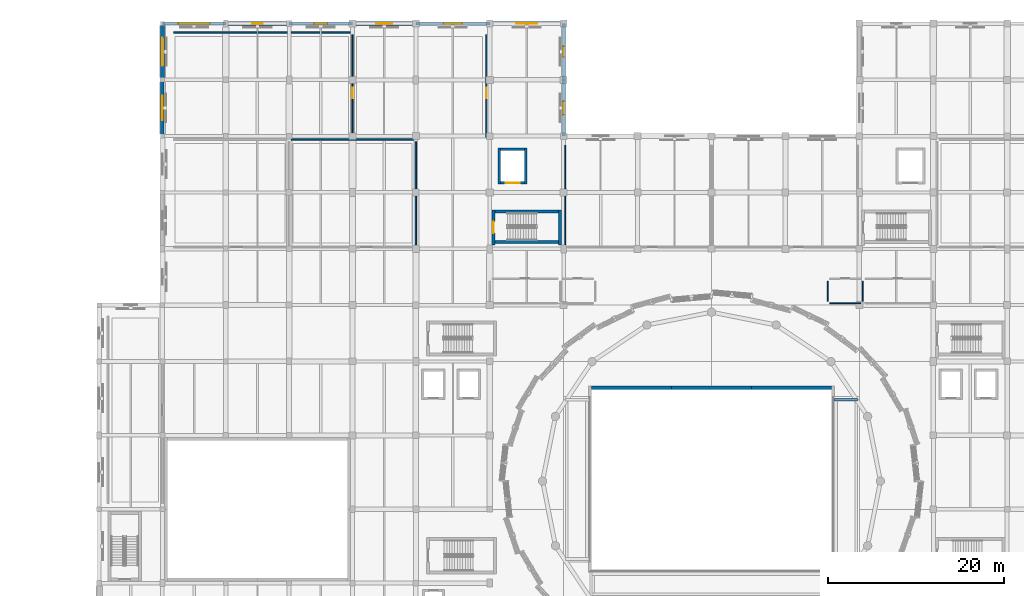
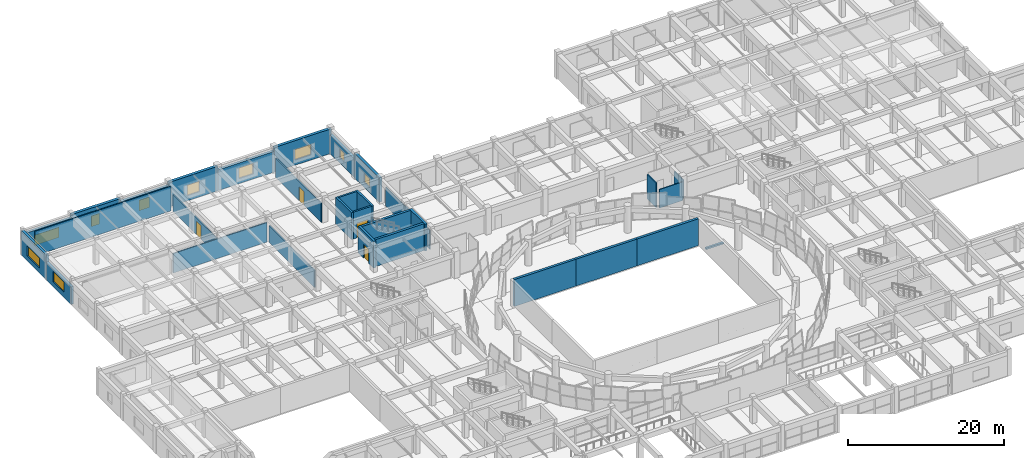
# One storey, part 50 of 71: 31 walls, 10 windows, 4 doors, 14 openings.
"""IFC4 building model written with IfcOpenShell, lengths in metres."""

from ifc_helpers import new_model, si_unit, direction, frame, frame_2d, origin, place, context, subcontext, project, spatial, rectangle, extrude, material, layer, layer_set, type_object, element, fill, save


model = new_model("IFC4")

# Units and contexts
model_context = context("Model", 3, precision=1e-05, world=origin(), true_north=direction((0.0, 1.0)))
body_context = subcontext(model_context, "Body", "Model", "MODEL_VIEW")
ifc_project = project(units=[si_unit("LENGTHUNIT", "METRE"), si_unit("AREAUNIT", "SQUARE_METRE"), si_unit("VOLUMEUNIT", "CUBIC_METRE"), si_unit("PLANEANGLEUNIT", "RADIAN"), si_unit("MASSUNIT", "GRAM", prefix="KILO")], contexts=[model_context])

# Site, building, storey
site_placement = place(None, origin())
site = spatial("IfcSite", under=ifc_project, at=site_placement, CompositionType="ELEMENT")
building_placement = place(site_placement, origin())
building = spatial("IfcBuilding", under=site, at=building_placement, Name="Korsvaeld Concert Hall", CompositionType="ELEMENT")
storey_placement = place(building_placement, frame((0.0, 0.0, 4.800048828125)))
storey = spatial("IfcBuildingStorey", under=building, at=storey_placement, Name="L01", CompositionType="ELEMENT", Elevation=4.800048828125)

# Walls
ifc_material_1 = material(Name="Concrete C40/50", Category="concrete")
ifc_layer_1 = layer(ifc_material_1, 0.340087890625)
ifc_layer_set_1 = layer_set([ifc_layer_1], Name="Concrete C40/50")
wall_type_1 = type_object("IfcWallType", Name="WL-CORE-340", PredefinedType="SHEAR", material=ifc_layer_set_1)
wall_1_placement = place(storey_placement, frame((59.3701171875, 90.39990234375, 0.0), z_axis=(0.0, 0.0, 1.0), x_axis=(1.0, 0.0, 0.0)))
element("IfcWall", 1, at=wall_1_placement, inside=storey, type_object=wall_type_1, Name="Core K5 shear wall L01 S", PredefinedType="SHEAR", context=body_context, shape_type="SweptSolid", body=[
    extrude(rectangle(XDim=7.259765625, YDim=0.340087890625, at=frame_2d((3.6298828125, 0.0))), origin(), (0.0, 0.0, 1.0), 4.199951171875),
])
wall_2_placement = place(storey_placement, frame((66.800048828125, 90.050048828125, 0.0), z_axis=(0.0, 0.0, 1.0), x_axis=(0.0, 1.0, 0.0)))
element("IfcWall", 2, at=wall_2_placement, inside=storey, type_object=wall_type_1, Name="Core K5 shear wall L01 E", PredefinedType="SHEAR", context=body_context, shape_type="SweptSolid", body=[
    extrude(rectangle(XDim=3.9599609375, YDim=0.340087890625, at=frame_2d((1.97998046875, 0.0))), origin(), (0.0, 0.0, 1.0), 4.199951171875),
])
wall_3_placement = place(storey_placement, frame((66.6298828125, 93.840087890625, 0.0), z_axis=(0.0, 0.0, 1.0), x_axis=(-1.0, 0.0, 0.0)))
element("IfcWall", 3, at=wall_3_placement, inside=storey, type_object=wall_type_1, Name="Core K5 shear wall L01 N", PredefinedType="SHEAR", context=body_context, shape_type="SweptSolid", body=[
    extrude(rectangle(XDim=7.259765625, YDim=0.340087890625, at=frame_2d((3.6298828125, 0.0))), origin(), (0.0, 0.0, 1.0), 4.199951171875),
])

# Wall, opening, door
wall_4_placement = place(storey_placement, frame((59.199951171875, 94.010009765625, 0.0), z_axis=(0.0, 0.0, 1.0), x_axis=(0.0, -1.0, 0.0)))
wall_4 = element("IfcWall", 4, at=wall_4_placement, inside=storey, type_object=wall_type_1, Name="Core K5 shear wall L01 W", PredefinedType="SHEAR", context=body_context, shape_type="SweptSolid", body=[
    extrude(rectangle(XDim=3.9599609375, YDim=0.340087890625, at=frame_2d((1.97998046875, 0.0))), origin(), (0.0, 0.0, 1.0), 4.199951171875),
])
opening_1_placement = place(wall_4_placement, frame((1.330078125, 0.0, 0.0)))
opening_1 = element("IfcOpeningElement", 5, at=opening_1_placement, cuts=wall_4, Name="Opening FD-01", PredefinedType="OPENING", context=body_context, shape_type="SweptSolid", body=[
    extrude(rectangle(XDim=1.300048828125, YDim=2.14990234375, at=frame_2d((0.64990234375, 1.074951171875))), frame((0.0, 0.18017578125, 0.0), z_axis=(0.0, -1.0, 0.0), x_axis=(1.0, 0.0, 0.0)), (0.0, 0.0, 1.0), 0.360107421875),
])
ifc_material_2 = material(Name="Acoustic steel and oak fire door", Category="steel")
door_type_1 = type_object("IfcDoorType", Name="DR-FD-STAIR-130x215", OperationType="NOTDEFINED", PredefinedType="DOOR", material=ifc_material_2)
door_1_placement = place(opening_1_placement, origin())
door_1 = element("IfcDoor", 6, at=door_1_placement, inside=storey, type_object=door_type_1, Name="Escape stair ST-K5 fire door L01", OperationType="SINGLE_SWING_LEFT", OverallHeight=2.14990234375, OverallWidth=1.300048828125, PredefinedType="DOOR", context=body_context, shape_type="SweptSolid", body=[
    extrude(rectangle(XDim=1.300048828125, YDim=2.14990234375, at=frame_2d((0.64990234375, 1.074951171875))), frame((0.0, 0.02490234375, 0.0), z_axis=(0.0, -1.0, 0.0), x_axis=(1.0, 0.0, 0.0)), (0.0, 0.0, 1.0), 0.050048828125),
])
fill(opening_1, door_1)

# Wall, opening, window
ifc_material_3 = material(Name="Obernkirchener buff sandstone rainscreen on Concrete C35/45", Category="masonry")
ifc_layer_2 = layer(ifc_material_3, 0.389892578125)
ifc_layer_set_2 = layer_set([ifc_layer_2], Name="Obernkirchener buff sandstone rainscreen on Concrete C35/45")
wall_type_2 = type_object("IfcWallType", Name="WL-EXT-BUFF-390", PredefinedType="STANDARD", material=ifc_layer_set_2)
wall_5_placement = place(storey_placement, frame((21.60009765625, 102.39990234375, 0.0), z_axis=(0.0, 0.0, 1.0), x_axis=(0.0, 1.0, 0.0)))
wall_5 = element("IfcWall", 7, at=wall_5_placement, inside=storey, type_object=wall_type_2, Name="Exterior sandstone wall L01-149", PredefinedType="STANDARD", context=body_context, shape_type="SweptSolid", body=[
    extrude(rectangle(XDim=6.400146484375, YDim=0.389892578125, at=frame_2d((3.2001953125, 0.0))), origin(), (0.0, 0.0, 1.0), 2.739990234375),
])
opening_2_placement = place(wall_5_placement, frame((1.800048828125, 0.0, 0.800048828125)))
opening_2 = element("IfcOpeningElement", 8, at=opening_2_placement, cuts=wall_5, Name="Opening WN-14", PredefinedType="OPENING", context=body_context, shape_type="SweptSolid", body=[
    extrude(rectangle(XDim=2.800048828125, YDim=1.60009765625, at=frame_2d((1.39990234375, 0.800048828125))), frame((0.0, 0.205078125, 0.0), z_axis=(0.0, -1.0, 0.0), x_axis=(1.0, 0.0, 0.0)), (0.0, 0.0, 1.0), 0.409912109375),
])
ifc_material_4 = material(Name="Anodised bronze frame with acoustic triple glazing", Category="glass")
window_type_1 = type_object("IfcWindowType", Name="WIN-AC-280x160", PartitioningType="TRIPLE_PANEL_VERTICAL", PredefinedType="WINDOW", material=ifc_material_4)
window_1_placement = place(opening_2_placement, origin())
window_1 = element("IfcWindow", 9, at=window_1_placement, inside=storey, type_object=window_type_1, Name="Acoustic triple-glazed window L01-059", OverallHeight=1.60009765625, OverallWidth=2.800048828125, PartitioningType="TRIPLE_PANEL_VERTICAL", PredefinedType="WINDOW", context=body_context, shape_type="SweptSolid", body=[
    extrude(rectangle(XDim=2.800048828125, YDim=1.60009765625, at=frame_2d((1.39990234375, 0.800048828125))), frame((0.0, 0.030029296875, 0.0), z_axis=(0.0, -1.0, 0.0), x_axis=(1.0, 0.0, 0.0)), (0.0, 0.0, 1.0), 0.06005859375),
])
fill(opening_2, window_1)

wall_6_placement = place(storey_placement, frame((21.60009765625, 115.199951171875, 0.0), z_axis=(0.0, 0.0, 1.0), x_axis=(1.0, 0.0, 0.0)))
wall_6 = element("IfcWall", 10, at=wall_6_placement, inside=storey, type_object=wall_type_2, Name="Exterior sandstone wall L01-151", PredefinedType="STANDARD", context=body_context, shape_type="SweptSolid", body=[
    extrude(rectangle(XDim=7.199951171875, YDim=0.389892578125, at=frame_2d((3.60009765625, 0.0))), origin(), (0.0, 0.0, 1.0), 3.2900390625),
])
opening_3_placement = place(wall_6_placement, frame((1.800048828125, 0.0, 0.800048828125)))
opening_3 = element("IfcOpeningElement", 11, at=opening_3_placement, cuts=wall_6, Name="Opening WN-16", PredefinedType="OPENING", context=body_context, shape_type="SweptSolid", body=[
    extrude(rectangle(XDim=3.60009765625, YDim=1.60009765625, at=frame_2d((1.800048828125, 0.800048828125))), frame((0.0, 0.205078125, 0.0), z_axis=(0.0, -1.0, 0.0), x_axis=(1.0, 0.0, 0.0)), (0.0, 0.0, 1.0), 0.409912109375),
])
window_type_2 = type_object("IfcWindowType", Name="WIN-AC-360x160", PartitioningType="TRIPLE_PANEL_VERTICAL", PredefinedType="WINDOW", material=ifc_material_4)
window_2_placement = place(opening_3_placement, origin())
window_2 = element("IfcWindow", 12, at=window_2_placement, inside=storey, type_object=window_type_2, Name="Acoustic triple-glazed window L01-061", OverallHeight=1.60009765625, OverallWidth=3.60009765625, PartitioningType="TRIPLE_PANEL_VERTICAL", PredefinedType="WINDOW", context=body_context, shape_type="SweptSolid", body=[
    extrude(rectangle(XDim=3.60009765625, YDim=1.60009765625, at=frame_2d((1.800048828125, 0.800048828125))), frame((0.0, 0.030029296875, 0.0), z_axis=(0.0, -1.0, 0.0), x_axis=(1.0, 0.0, 0.0)), (0.0, 0.0, 1.0), 0.06005859375),
])
fill(opening_3, window_2)

wall_7_placement = place(storey_placement, frame((36.0, 115.199951171875, 0.0), z_axis=(0.0, 0.0, 1.0), x_axis=(1.0, 0.0, 0.0)))
wall_7 = element("IfcWall", 13, at=wall_7_placement, inside=storey, type_object=wall_type_2, Name="Exterior sandstone wall L01-153", PredefinedType="STANDARD", context=body_context, shape_type="SweptSolid", body=[
    extrude(rectangle(XDim=7.199951171875, YDim=0.389892578125, at=frame_2d((3.60009765625, 0.0))), origin(), (0.0, 0.0, 1.0), 3.2900390625),
])
opening_4_placement = place(wall_7_placement, frame((2.85009765625, 0.0, 0.800048828125)))
opening_4 = element("IfcOpeningElement", 14, at=opening_4_placement, cuts=wall_7, Name="Opening WN-02", PredefinedType="OPENING", context=body_context, shape_type="SweptSolid", body=[
    extrude(rectangle(XDim=1.5, YDim=1.64990234375, at=frame_2d((0.75, 0.824951171875))), frame((0.0, 0.205078125, 0.0), z_axis=(0.0, -1.0, 0.0), x_axis=(1.0, 0.0, 0.0)), (0.0, 0.0, 1.0), 0.409912109375),
])
window_type_3 = type_object("IfcWindowType", Name="WIN-AC-150x165", PartitioningType="SINGLE_PANEL", PredefinedType="WINDOW", material=ifc_material_4)
window_3_placement = place(opening_4_placement, origin())
window_3 = element("IfcWindow", 15, at=window_3_placement, inside=storey, type_object=window_type_3, Name="Acoustic triple-glazed window L01-063", OverallHeight=1.64990234375, OverallWidth=1.5, PartitioningType="SINGLE_PANEL", PredefinedType="WINDOW", context=body_context, shape_type="SweptSolid", body=[
    extrude(rectangle(XDim=1.5, YDim=1.64990234375, at=frame_2d((0.75, 0.824951171875))), frame((0.0, 0.030029296875, 0.0), z_axis=(0.0, -1.0, 0.0), x_axis=(1.0, 0.0, 0.0)), (0.0, 0.0, 1.0), 0.06005859375),
])
fill(opening_4, window_3)

wall_8_placement = place(storey_placement, frame((50.39990234375, 115.199951171875, 0.0), z_axis=(0.0, 0.0, 1.0), x_axis=(1.0, 0.0, 0.0)))
wall_8 = element("IfcWall", 16, at=wall_8_placement, inside=storey, type_object=wall_type_2, Name="Exterior sandstone wall L01-155", PredefinedType="STANDARD", context=body_context, shape_type="SweptSolid", body=[
    extrude(rectangle(XDim=8.400146484375, YDim=0.389892578125, at=frame_2d((4.2001953125, 0.0))), origin(), (0.0, 0.0, 1.0), 3.239990234375),
])
opening_5_placement = place(wall_8_placement, frame((3.14990234375, 0.0, 0.800048828125)))
opening_5 = element("IfcOpeningElement", 17, at=opening_5_placement, cuts=wall_8, Name="Opening WN-04", PredefinedType="OPENING", context=body_context, shape_type="SweptSolid", body=[
    extrude(rectangle(XDim=2.10009765625, YDim=1.64990234375, at=frame_2d((1.050048828125, 0.824951171875))), frame((0.0, 0.205078125, 0.0), z_axis=(0.0, -1.0, 0.0), x_axis=(1.0, 0.0, 0.0)), (0.0, 0.0, 1.0), 0.409912109375),
])
window_type_4 = type_object("IfcWindowType", Name="WIN-AC-210x165", PartitioningType="SINGLE_PANEL", PredefinedType="WINDOW", material=ifc_material_4)
window_4_placement = place(opening_5_placement, origin())
window_4 = element("IfcWindow", 18, at=window_4_placement, inside=storey, type_object=window_type_4, Name="Acoustic triple-glazed window L01-065", OverallHeight=1.64990234375, OverallWidth=2.10009765625, PartitioningType="SINGLE_PANEL", PredefinedType="WINDOW", context=body_context, shape_type="SweptSolid", body=[
    extrude(rectangle(XDim=2.10009765625, YDim=1.64990234375, at=frame_2d((1.050048828125, 0.824951171875))), frame((0.0, 0.030029296875, 0.0), z_axis=(0.0, -1.0, 0.0), x_axis=(1.0, 0.0, 0.0)), (0.0, 0.0, 1.0), 0.06005859375),
])
fill(opening_5, window_4)

wall_9_placement = place(storey_placement, frame((67.199951171875, 115.199951171875, 0.0), z_axis=(0.0, 0.0, 1.0), x_axis=(0.0, -1.0, 0.0)))
wall_9 = element("IfcWall", 19, at=wall_9_placement, inside=storey, type_object=wall_type_2, Name="Exterior sandstone wall L01-157", PredefinedType="STANDARD", context=body_context, shape_type="SweptSolid", body=[
    extrude(rectangle(XDim=6.39990234375, YDim=0.389892578125, at=frame_2d((3.199951171875, 0.0))), origin(), (0.0, 0.0, 1.0), 2.93994140625),
])
opening_6_placement = place(wall_9_placement, frame((2.60009765625, 0.0, 0.800048828125)))
opening_6 = element("IfcOpeningElement", 20, at=opening_6_placement, cuts=wall_9, Name="Opening WN-06", PredefinedType="OPENING", context=body_context, shape_type="SweptSolid", body=[
    extrude(rectangle(XDim=1.199951171875, YDim=1.449951171875, at=frame_2d((0.60009765625, 0.72509765625))), frame((0.0, 0.205078125, 0.0), z_axis=(0.0, -1.0, 0.0), x_axis=(1.0, 0.0, 0.0)), (0.0, 0.0, 1.0), 0.409912109375),
])
window_type_5 = type_object("IfcWindowType", Name="WIN-AC-120x145", PartitioningType="SINGLE_PANEL", PredefinedType="WINDOW", material=ifc_material_4)
window_5_placement = place(opening_6_placement, origin())
window_5 = element("IfcWindow", 21, at=window_5_placement, inside=storey, type_object=window_type_5, Name="Acoustic triple-glazed window L01-067", OverallHeight=1.449951171875, OverallWidth=1.199951171875, PartitioningType="SINGLE_PANEL", PredefinedType="WINDOW", context=body_context, shape_type="SweptSolid", body=[
    extrude(rectangle(XDim=1.199951171875, YDim=1.449951171875, at=frame_2d((0.60009765625, 0.72509765625))), frame((0.0, 0.030029296875, 0.0), z_axis=(0.0, -1.0, 0.0), x_axis=(1.0, 0.0, 0.0)), (0.0, 0.0, 1.0), 0.06005859375),
])
fill(opening_6, window_5)

ifc_material_5 = material(Name="Bornholm Nexo rose-red sandstone rainscreen on Concrete C35/45", Category="masonry")
ifc_layer_3 = layer(ifc_material_5, 0.419921875)
ifc_layer_set_3 = layer_set([ifc_layer_3], Name="Bornholm Nexo rose-red sandstone rainscreen on Concrete C35/45")
wall_type_3 = type_object("IfcWallType", Name="WL-EXT-NEXO-420", PredefinedType="STANDARD", material=ifc_layer_set_3)
wall_10_placement = place(storey_placement, frame((21.60009765625, 108.800048828125, 0.0), z_axis=(0.0, 0.0, 1.0), x_axis=(0.0, 1.0, 0.0)))
wall_10 = element("IfcWall", 22, at=wall_10_placement, inside=storey, type_object=wall_type_3, Name="Exterior sandstone wall L01-150", PredefinedType="STANDARD", context=body_context, shape_type="SweptSolid", body=[
    extrude(rectangle(XDim=6.39990234375, YDim=0.419921875, at=frame_2d((3.199951171875, 0.0))), origin(), (0.0, 0.0, 1.0), 3.83984375),
])
opening_7_placement = place(wall_10_placement, frame((1.60009765625, 0.0, 0.800048828125)))
opening_7 = element("IfcOpeningElement", 23, at=opening_7_placement, cuts=wall_10, Name="Opening WN-15", PredefinedType="OPENING", context=body_context, shape_type="SweptSolid", body=[
    extrude(rectangle(XDim=3.199951171875, YDim=1.60009765625, at=frame_2d((1.60009765625, 0.800048828125))), frame((0.0, 0.219970703125, 0.0), z_axis=(0.0, -1.0, 0.0), x_axis=(1.0, 0.0, 0.0)), (0.0, 0.0, 1.0), 0.43994140625),
])
window_type_6 = type_object("IfcWindowType", Name="WIN-AC-320x160", PartitioningType="TRIPLE_PANEL_VERTICAL", PredefinedType="WINDOW", material=ifc_material_4)
window_6_placement = place(opening_7_placement, origin())
window_6 = element("IfcWindow", 24, at=window_6_placement, inside=storey, type_object=window_type_6, Name="Acoustic triple-glazed window L01-060", OverallHeight=1.60009765625, OverallWidth=3.199951171875, PartitioningType="TRIPLE_PANEL_VERTICAL", PredefinedType="WINDOW", context=body_context, shape_type="SweptSolid", body=[
    extrude(rectangle(XDim=3.199951171875, YDim=1.60009765625, at=frame_2d((1.60009765625, 0.800048828125))), frame((0.0, 0.030029296875, 0.0), z_axis=(0.0, -1.0, 0.0), x_axis=(1.0, 0.0, 0.0)), (0.0, 0.0, 1.0), 0.06005859375),
])
fill(opening_7, window_6)

wall_11_placement = place(storey_placement, frame((28.800048828125, 115.199951171875, 0.0), z_axis=(0.0, 0.0, 1.0), x_axis=(1.0, 0.0, 0.0)))
wall_11 = element("IfcWall", 25, at=wall_11_placement, inside=storey, type_object=wall_type_3, Name="Exterior sandstone wall L01-152", PredefinedType="STANDARD", context=body_context, shape_type="SweptSolid", body=[
    extrude(rectangle(XDim=7.199951171875, YDim=0.419921875, at=frame_2d((3.60009765625, 0.0))), origin(), (0.0, 0.0, 1.0), 3.83984375),
])
opening_8_placement = place(wall_11_placement, frame((3.0, 0.0, 0.800048828125)))
opening_8 = element("IfcOpeningElement", 26, at=opening_8_placement, cuts=wall_11, Name="Opening WN-01", PredefinedType="OPENING", context=body_context, shape_type="SweptSolid", body=[
    extrude(rectangle(XDim=1.199951171875, YDim=1.64990234375, at=frame_2d((0.60009765625, 0.824951171875))), frame((0.0, 0.219970703125, 0.0), z_axis=(0.0, -1.0, 0.0), x_axis=(1.0, 0.0, 0.0)), (0.0, 0.0, 1.0), 0.43994140625),
])
window_type_7 = type_object("IfcWindowType", Name="WIN-AC-120x165", PartitioningType="SINGLE_PANEL", PredefinedType="WINDOW", material=ifc_material_4)
window_7_placement = place(opening_8_placement, origin())
window_7 = element("IfcWindow", 27, at=window_7_placement, inside=storey, type_object=window_type_7, Name="Acoustic triple-glazed window L01-062", OverallHeight=1.64990234375, OverallWidth=1.199951171875, PartitioningType="SINGLE_PANEL", PredefinedType="WINDOW", context=body_context, shape_type="SweptSolid", body=[
    extrude(rectangle(XDim=1.199951171875, YDim=1.64990234375, at=frame_2d((0.60009765625, 0.824951171875))), frame((0.0, 0.030029296875, 0.0), z_axis=(0.0, -1.0, 0.0), x_axis=(1.0, 0.0, 0.0)), (0.0, 0.0, 1.0), 0.06005859375),
])
fill(opening_8, window_7)

wall_12_placement = place(storey_placement, frame((43.199951171875, 115.199951171875, 0.0), z_axis=(0.0, 0.0, 1.0), x_axis=(1.0, 0.0, 0.0)))
wall_12 = element("IfcWall", 28, at=wall_12_placement, inside=storey, type_object=wall_type_3, Name="Exterior sandstone wall L01-154", PredefinedType="STANDARD", context=body_context, shape_type="SweptSolid", body=[
    extrude(rectangle(XDim=7.199951171875, YDim=0.419921875, at=frame_2d((3.60009765625, 0.0))), origin(), (0.0, 0.0, 1.0), 3.83984375),
])
opening_9_placement = place(wall_12_placement, frame((2.699951171875, 0.0, 0.800048828125)))
opening_9 = element("IfcOpeningElement", 29, at=opening_9_placement, cuts=wall_12, Name="Opening WN-03", PredefinedType="OPENING", context=body_context, shape_type="SweptSolid", body=[
    extrude(rectangle(XDim=1.800048828125, YDim=1.64990234375, at=frame_2d((0.89990234375, 0.824951171875))), frame((0.0, 0.219970703125, 0.0), z_axis=(0.0, -1.0, 0.0), x_axis=(1.0, 0.0, 0.0)), (0.0, 0.0, 1.0), 0.43994140625),
])
window_type_8 = type_object("IfcWindowType", Name="WIN-AC-180x165", PartitioningType="SINGLE_PANEL", PredefinedType="WINDOW", material=ifc_material_4)
window_8_placement = place(opening_9_placement, origin())
window_8 = element("IfcWindow", 30, at=window_8_placement, inside=storey, type_object=window_type_8, Name="Acoustic triple-glazed window L01-064", OverallHeight=1.64990234375, OverallWidth=1.800048828125, PartitioningType="SINGLE_PANEL", PredefinedType="WINDOW", context=body_context, shape_type="SweptSolid", body=[
    extrude(rectangle(XDim=1.800048828125, YDim=1.64990234375, at=frame_2d((0.89990234375, 0.824951171875))), frame((0.0, 0.030029296875, 0.0), z_axis=(0.0, -1.0, 0.0), x_axis=(1.0, 0.0, 0.0)), (0.0, 0.0, 1.0), 0.06005859375),
])
fill(opening_9, window_8)

wall_13_placement = place(storey_placement, frame((58.800048828125, 115.199951171875, 0.0), z_axis=(0.0, 0.0, 1.0), x_axis=(1.0, 0.0, 0.0)))
wall_13 = element("IfcWall", 31, at=wall_13_placement, inside=storey, type_object=wall_type_3, Name="Exterior sandstone wall L01-156", PredefinedType="STANDARD", context=body_context, shape_type="SweptSolid", body=[
    extrude(rectangle(XDim=8.39990234375, YDim=0.419921875, at=frame_2d((4.199951171875, 0.0))), origin(), (0.0, 0.0, 1.0), 3.83984375),
])
opening_10_placement = place(wall_13_placement, frame((3.0, 0.0, 0.800048828125)))
opening_10 = element("IfcOpeningElement", 32, at=opening_10_placement, cuts=wall_13, Name="Opening WN-05", PredefinedType="OPENING", context=body_context, shape_type="SweptSolid", body=[
    extrude(rectangle(XDim=2.39990234375, YDim=1.64990234375, at=frame_2d((1.199951171875, 0.824951171875))), frame((0.0, 0.219970703125, 0.0), z_axis=(0.0, -1.0, 0.0), x_axis=(1.0, 0.0, 0.0)), (0.0, 0.0, 1.0), 0.43994140625),
])
window_type_9 = type_object("IfcWindowType", Name="WIN-AC-240x165", PartitioningType="TRIPLE_PANEL_VERTICAL", PredefinedType="WINDOW", material=ifc_material_4)
window_9_placement = place(opening_10_placement, origin())
window_9 = element("IfcWindow", 33, at=window_9_placement, inside=storey, type_object=window_type_9, Name="Acoustic triple-glazed window L01-066", OverallHeight=1.64990234375, OverallWidth=2.39990234375, PartitioningType="TRIPLE_PANEL_VERTICAL", PredefinedType="WINDOW", context=body_context, shape_type="SweptSolid", body=[
    extrude(rectangle(XDim=2.39990234375, YDim=1.64990234375, at=frame_2d((1.199951171875, 0.824951171875))), frame((0.0, 0.030029296875, 0.0), z_axis=(0.0, -1.0, 0.0), x_axis=(1.0, 0.0, 0.0)), (0.0, 0.0, 1.0), 0.06005859375),
])
fill(opening_10, window_9)

wall_14_placement = place(storey_placement, frame((67.199951171875, 108.800048828125, 0.0), z_axis=(0.0, 0.0, 1.0), x_axis=(0.0, -1.0, 0.0)))
wall_14 = element("IfcWall", 34, at=wall_14_placement, inside=storey, type_object=wall_type_3, Name="Exterior sandstone wall L01-158", PredefinedType="STANDARD", context=body_context, shape_type="SweptSolid", body=[
    extrude(rectangle(XDim=6.400146484375, YDim=0.419921875, at=frame_2d((3.2001953125, 0.0))), origin(), (0.0, 0.0, 1.0), 3.83984375),
])
opening_11_placement = place(wall_14_placement, frame((2.449951171875, 0.0, 0.800048828125)))
opening_11 = element("IfcOpeningElement", 35, at=opening_11_placement, cuts=wall_14, Name="Opening WN-07", PredefinedType="OPENING", context=body_context, shape_type="SweptSolid", body=[
    extrude(rectangle(XDim=1.5, YDim=1.449951171875, at=frame_2d((0.75, 0.72509765625))), frame((0.0, 0.219970703125, 0.0), z_axis=(0.0, -1.0, 0.0), x_axis=(1.0, 0.0, 0.0)), (0.0, 0.0, 1.0), 0.43994140625),
])
window_type_10 = type_object("IfcWindowType", Name="WIN-AC-150x145", PartitioningType="SINGLE_PANEL", PredefinedType="WINDOW", material=ifc_material_4)
window_10_placement = place(opening_11_placement, origin())
window_10 = element("IfcWindow", 36, at=window_10_placement, inside=storey, type_object=window_type_10, Name="Acoustic triple-glazed window L01-068", OverallHeight=1.449951171875, OverallWidth=1.5, PartitioningType="SINGLE_PANEL", PredefinedType="WINDOW", context=body_context, shape_type="SweptSolid", body=[
    extrude(rectangle(XDim=1.5, YDim=1.449951171875, at=frame_2d((0.75, 0.72509765625))), frame((0.0, 0.030029296875, 0.0), z_axis=(0.0, -1.0, 0.0), x_axis=(1.0, 0.0, 0.0)), (0.0, 0.0, 1.0), 0.06005859375),
])
fill(opening_11, window_10)

# Walls
ifc_material_6 = material(Name="Bornholm Nexo crimson sandstone on Concrete C40/50", Category="masonry")
ifc_layer_4 = layer(ifc_material_6, 0.360107421875)
ifc_layer_set_4 = layer_set([ifc_layer_4], Name="Bornholm Nexo crimson sandstone on Concrete C40/50")
wall_type_4 = type_object("IfcWallType", Name="WL-HALL-360", PredefinedType="SHEAR", material=ifc_layer_set_4)
for number, where, z_axis, x_axis, name in (
    (37, (97.6201171875, 73.800048828125, 0.0), (0.0, 0.0, 1.0), (-1.0, 0.0, 0.0), "Acoustic hall box wall V1H L01 N.1"),
    (38, (88.5400390625, 73.800048828125, 0.0), (0.0, 0.0, 1.0), (-1.0, 0.0, 0.0), "Acoustic hall box wall V1H L01 N.2"),
    (39, (79.4599609375, 73.800048828125, 0.0), (0.0, 0.0, 1.0), (-1.0, 0.0, 0.0), "Acoustic hall box wall V1H L01 N.3"),
):
    element("IfcWall", number, at=place(storey_placement, frame(where, z_axis=z_axis, x_axis=x_axis)), inside=storey, type_object=wall_type_4, Name=name, PredefinedType="SHEAR", context=body_context, shape_type="SweptSolid", body=[
        extrude(rectangle(XDim=9.080078125, YDim=0.360107421875, at=frame_2d((4.5400390625, 0.0))), origin(), (0.0, 0.0, 1.0), 4.199951171875),
    ])
ifc_material_7 = material(Name="Insulated acoustic gypsum partition")
ifc_layer_5 = layer(ifc_material_7, 0.125)
ifc_layer_set_5 = layer_set([ifc_layer_5], Name="Insulated acoustic gypsum partition")
wall_type_5 = type_object("IfcWallType", Name="WL-PART-125", PredefinedType="PARTITIONING", material=ifc_layer_set_5)
wall_15_placement = place(storey_placement, frame((67.39990234375, 101.340087890625, 0.0), z_axis=(0.0, 0.0, 1.0), x_axis=(0.0, -1.0, 0.0)))
element("IfcWall", 40, at=wall_15_placement, inside=storey, type_object=wall_type_5, Name="Interior partition L01-20 W", PredefinedType="PARTITIONING", context=body_context, shape_type="SweptSolid", body=[
    extrude(rectangle(XDim=11.280029296875, YDim=0.125, at=frame_2d((5.64013671875, 0.0))), origin(), (0.0, 0.0, 1.0), 2.96484375),
])
wall_16_placement = place(storey_placement, frame((101.199951171875, 85.93994140625, 0.0), z_axis=(0.0, 0.0, 1.0), x_axis=(0.0, -1.0, 0.0)))
element("IfcWall", 41, at=wall_16_placement, inside=storey, type_object=wall_type_5, Name="Interior partition L01-29 W", PredefinedType="PARTITIONING", context=body_context, shape_type="SweptSolid", body=[
    extrude(rectangle(XDim=2.280029296875, YDim=0.125, at=frame_2d((1.14013671875, 0.0))), origin(), (0.0, 0.0, 1.0), 2.9150390625),
])
wall_17_placement = place(storey_placement, frame((97.4599609375, 83.39990234375, 0.0), z_axis=(0.0, 0.0, 1.0), x_axis=(1.0, 0.0, 0.0)))
element("IfcWall", 42, at=wall_17_placement, inside=storey, type_object=wall_type_5, Name="Interior partition L01-30 S", PredefinedType="PARTITIONING", context=body_context, shape_type="SweptSolid", body=[
    extrude(rectangle(XDim=3.47998046875, YDim=0.125, at=frame_2d((1.739990234375, 0.0))), origin(), (0.0, 0.0, 1.0), 2.9150390625),
])
wall_18_placement = place(storey_placement, frame((97.199951171875, 85.93994140625, 0.0), z_axis=(0.0, 0.0, 1.0), x_axis=(0.0, -1.0, 0.0)))
element("IfcWall", 43, at=wall_18_placement, inside=storey, type_object=wall_type_5, Name="Interior partition L01-30 W", PredefinedType="PARTITIONING", context=body_context, shape_type="SweptSolid", body=[
    extrude(rectangle(XDim=2.280029296875, YDim=0.125, at=frame_2d((1.14013671875, 0.0))), origin(), (0.0, 0.0, 1.0), 3.83984375),
])
ifc_material_8 = material(Name="Double-stud acoustic rehearsal partition")
ifc_layer_6 = layer(ifc_material_8, 0.159912109375)
ifc_layer_set_6 = layer_set([ifc_layer_6], Name="Double-stud acoustic rehearsal partition")
wall_type_6 = type_object("IfcWallType", Name="WL-PART-160", PredefinedType="PARTITIONING", material=ifc_layer_set_6)
wall_19_placement = place(storey_placement, frame((50.39990234375, 90.06005859375, 0.0), z_axis=(0.0, 0.0, 1.0), x_axis=(0.0, 1.0, 0.0)))
element("IfcWall", 44, at=wall_19_placement, inside=storey, type_object=wall_type_6, Name="Interior partition L01-17 E", PredefinedType="PARTITIONING", context=body_context, shape_type="SweptSolid", body=[
    extrude(rectangle(XDim=11.679931640625, YDim=0.159912109375, at=frame_2d((5.83984375, 0.0))), origin(), (0.0, 0.0, 1.0), 2.614990234375),
])
wall_20_placement = place(storey_placement, frame((50.139892578125, 102.0, 0.0), z_axis=(0.0, 0.0, 1.0), x_axis=(-1.0, 0.0, 0.0)))
element("IfcWall", 45, at=wall_20_placement, inside=storey, type_object=wall_type_6, Name="Interior partition L01-17 N", PredefinedType="PARTITIONING", context=body_context, shape_type="SweptSolid", body=[
    extrude(rectangle(XDim=13.8798828125, YDim=0.159912109375, at=frame_2d((6.93994140625, 0.0))), origin(), (0.0, 0.0, 1.0), 3.06494140625),
])

# Wall, opening, door
wall_21_placement = place(storey_placement, frame((43.199951171875, 102.260009765625, 0.0), z_axis=(0.0, 0.0, 1.0), x_axis=(0.0, 1.0, 0.0)))
wall_21 = element("IfcWall", 46, at=wall_21_placement, inside=storey, type_object=wall_type_6, Name="Interior partition L01-18 E", PredefinedType="PARTITIONING", context=body_context, shape_type="SweptSolid", body=[
    extrude(rectangle(XDim=11.679931640625, YDim=0.159912109375, at=frame_2d((5.83984375, 0.0))), origin(), (0.0, 0.0, 1.0), 2.614990234375),
])
opening_12_placement = place(wall_21_placement, frame((4.43994140625, 0.0, 0.0)))
opening_12 = element("IfcOpeningElement", 47, at=opening_12_placement, cuts=wall_21, Name="Opening ID-01", PredefinedType="OPENING", context=body_context, shape_type="SweptSolid", body=[
    extrude(rectangle(XDim=1.199951171875, YDim=2.14990234375, at=frame_2d((0.60009765625, 1.074951171875))), frame((0.0, 0.08984375, 0.0), z_axis=(0.0, -1.0, 0.0), x_axis=(1.0, 0.0, 0.0)), (0.0, 0.0, 1.0), 0.179931640625),
])
ifc_material_9 = material(Name="Solid European oak acoustic studio door")
door_type_2 = type_object("IfcDoorType", Name="DR-INT-REH-120x215", OperationType="NOTDEFINED", PredefinedType="DOOR", material=ifc_material_9)
door_2_placement = place(opening_12_placement, origin())
door_2 = element("IfcDoor", 48, at=door_2_placement, inside=storey, type_object=door_type_2, Name="Ensemble Rehearsal Room L01-03 door L01-18", OperationType="SINGLE_SWING_LEFT", OverallHeight=2.14990234375, OverallWidth=1.199951171875, PredefinedType="DOOR", context=body_context, shape_type="SweptSolid", body=[
    extrude(rectangle(XDim=1.199951171875, YDim=2.14990234375, at=frame_2d((0.60009765625, 1.074951171875))), frame((0.0, 0.02490234375, 0.0), z_axis=(0.0, -1.0, 0.0), x_axis=(1.0, 0.0, 0.0)), (0.0, 0.0, 1.0), 0.050048828125),
])
fill(opening_12, door_2)

# Wall
wall_22_placement = place(storey_placement, frame((42.93994140625, 114.199951171875, 0.0), z_axis=(0.0, 0.0, 1.0), x_axis=(-1.0, 0.0, 0.0)))
element("IfcWall", 49, at=wall_22_placement, inside=storey, type_object=wall_type_6, Name="Interior partition L01-18 N", PredefinedType="PARTITIONING", context=body_context, shape_type="SweptSolid", body=[
    extrude(rectangle(XDim=20.079833984375, YDim=0.159912109375, at=frame_2d((10.0400390625, 0.0))), origin(), (0.0, 0.0, 1.0), 3.83984375),
])

# Wall, opening, door
wall_23_placement = place(storey_placement, frame((58.39990234375, 102.260009765625, 0.0), z_axis=(0.0, 0.0, 1.0), x_axis=(0.0, 1.0, 0.0)))
wall_23 = element("IfcWall", 50, at=wall_23_placement, inside=storey, type_object=wall_type_6, Name="Interior partition L01-19 E", PredefinedType="PARTITIONING", context=body_context, shape_type="SweptSolid", body=[
    extrude(rectangle(XDim=11.679931640625, YDim=0.159912109375, at=frame_2d((5.83984375, 0.0))), origin(), (0.0, 0.0, 1.0), 2.96484375),
])
opening_13_placement = place(wall_23_placement, frame((4.43994140625, 0.0, 0.0)))
opening_13 = element("IfcOpeningElement", 51, at=opening_13_placement, cuts=wall_23, Name="Opening ID-01", PredefinedType="OPENING", context=body_context, shape_type="SweptSolid", body=[
    extrude(rectangle(XDim=1.199951171875, YDim=2.14990234375, at=frame_2d((0.60009765625, 1.074951171875))), frame((0.0, 0.08984375, 0.0), z_axis=(0.0, -1.0, 0.0), x_axis=(1.0, 0.0, 0.0)), (0.0, 0.0, 1.0), 0.179931640625),
])
door_3_placement = place(opening_13_placement, origin())
door_3 = element("IfcDoor", 52, at=door_3_placement, inside=storey, type_object=door_type_2, Name="Woodwind Ensemble Rehearsal Room L01-04 door L01-19", OperationType="SINGLE_SWING_RIGHT", OverallHeight=2.14990234375, OverallWidth=1.199951171875, PredefinedType="DOOR", context=body_context, shape_type="SweptSolid", body=[
    extrude(rectangle(XDim=1.199951171875, YDim=2.14990234375, at=frame_2d((0.60009765625, 1.074951171875))), frame((0.0, 0.02490234375, 0.0), z_axis=(0.0, -1.0, 0.0), x_axis=(1.0, 0.0, 0.0)), (0.0, 0.0, 1.0), 0.050048828125),
])
fill(opening_13, door_3)

ifc_layer_7 = layer(ifc_material_1, 0.280029296875)
ifc_layer_set_7 = layer_set([ifc_layer_7], Name="Concrete C40/50")
wall_type_7 = type_object("IfcWallType", Name="WL-SHAFT-280", PredefinedType="SHEAR", material=ifc_layer_set_7)
wall_24_placement = place(storey_placement, frame((60.0400390625, 97.10009765625, 0.0), z_axis=(0.0, 0.0, 1.0), x_axis=(1.0, 0.0, 0.0)))
wall_24 = element("IfcWall", 53, at=wall_24_placement, inside=storey, type_object=wall_type_7, Name="Lift LG-01 shaft wall L01 S", PredefinedType="SHEAR", context=body_context, shape_type="SweptSolid", body=[
    extrude(rectangle(XDim=2.719970703125, YDim=0.280029296875, at=frame_2d((1.35986328125, 0.0))), origin(), (0.0, 0.0, 1.0), 4.199951171875),
])
opening_14_placement = place(wall_24_placement, frame((0.56005859375, 0.0, 0.0)))
opening_14 = element("IfcOpeningElement", 54, at=opening_14_placement, cuts=wall_24, Name="Opening LD-03", PredefinedType="OPENING", context=body_context, shape_type="SweptSolid", body=[
    extrude(rectangle(XDim=1.60009765625, YDim=2.300048828125, at=frame_2d((0.800048828125, 1.14990234375))), frame((0.0, 0.14990234375, 0.0), z_axis=(0.0, -1.0, 0.0), x_axis=(1.0, 0.0, 0.0)), (0.0, 0.0, 1.0), 0.300048828125),
])
ifc_material_10 = material(Name="Heavy-duty stainless sliding goods lift landing door")
door_type_3 = type_object("IfcDoorType", Name="DR-LD-GOODS-160x230", OperationType="NOTDEFINED", PredefinedType="DOOR", material=ifc_material_10)
door_4_placement = place(opening_14_placement, origin())
door_4 = element("IfcDoor", 55, at=door_4_placement, inside=storey, type_object=door_type_3, Name="Lift landing door LG-01 L01", OperationType="SLIDING_TO_LEFT", OverallHeight=2.300048828125, OverallWidth=1.60009765625, PredefinedType="DOOR", context=body_context, shape_type="SweptSolid", body=[
    extrude(rectangle(XDim=1.60009765625, YDim=2.300048828125, at=frame_2d((0.800048828125, 1.14990234375))), frame((0.0, 0.02490234375, 0.0), z_axis=(0.0, -1.0, 0.0), x_axis=(1.0, 0.0, 0.0)), (0.0, 0.0, 1.0), 0.050048828125),
])
fill(opening_14, door_4)

# Walls
wall_25_placement = place(storey_placement, frame((62.89990234375, 96.9599609375, 0.0), z_axis=(0.0, 0.0, 1.0), x_axis=(0.0, 1.0, 0.0)))
element("IfcWall", 56, at=wall_25_placement, inside=storey, type_object=wall_type_7, Name="Lift LG-01 shaft wall L01 E", PredefinedType="SHEAR", context=body_context, shape_type="SweptSolid", body=[
    extrude(rectangle(XDim=4.080078125, YDim=0.280029296875, at=frame_2d((2.0400390625, 0.0))), origin(), (0.0, 0.0, 1.0), 4.199951171875),
])
wall_26_placement = place(storey_placement, frame((62.760009765625, 100.89990234375, 0.0), z_axis=(0.0, 0.0, 1.0), x_axis=(-1.0, 0.0, 0.0)))
element("IfcWall", 57, at=wall_26_placement, inside=storey, type_object=wall_type_7, Name="Lift LG-01 shaft wall L01 N", PredefinedType="SHEAR", context=body_context, shape_type="SweptSolid", body=[
    extrude(rectangle(XDim=2.719970703125, YDim=0.280029296875, at=frame_2d((1.35986328125, 0.0))), origin(), (0.0, 0.0, 1.0), 4.199951171875),
])
wall_27_placement = place(storey_placement, frame((59.89990234375, 101.0400390625, 0.0), z_axis=(0.0, 0.0, 1.0), x_axis=(0.0, -1.0, 0.0)))
element("IfcWall", 58, at=wall_27_placement, inside=storey, type_object=wall_type_7, Name="Lift LG-01 shaft wall L01 W", PredefinedType="SHEAR", context=body_context, shape_type="SweptSolid", body=[
    extrude(rectangle(XDim=4.080078125, YDim=0.280029296875, at=frame_2d((2.0400390625, 0.0))), origin(), (0.0, 0.0, 1.0), 4.199951171875),
])
ifc_layer_8 = layer(ifc_material_1, 0.300048828125)
ifc_layer_set_8 = layer_set([ifc_layer_8], Name="Concrete C40/50")
wall_type_8 = type_object("IfcWallType", Name="WL-TIER-300", PredefinedType="SHEAR", material=ifc_layer_set_8)
wall_28_placement = place(storey_placement, frame((98.0, 72.449951171875, 0.0), z_axis=(0.0, 0.0, 1.0), x_axis=(1.0, 0.0, 0.0)))
element("IfcWall", 59, at=wall_28_placement, inside=storey, type_object=wall_type_8, Name="Seating tier back riser wall V1-CIRC1-E", PredefinedType="SHEAR", context=body_context, shape_type="SweptSolid", body=[
    extrude(rectangle(XDim=2.60009765625, YDim=0.300048828125, at=frame_2d((1.300048828125, 0.0))), origin(), (0.0, 0.0, 1.0), 0.25),
])

save(model, "model.ifc")
